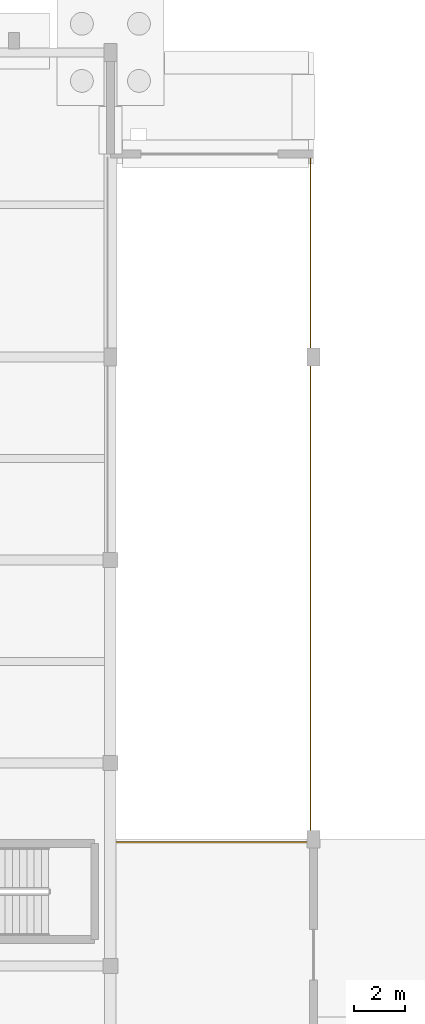
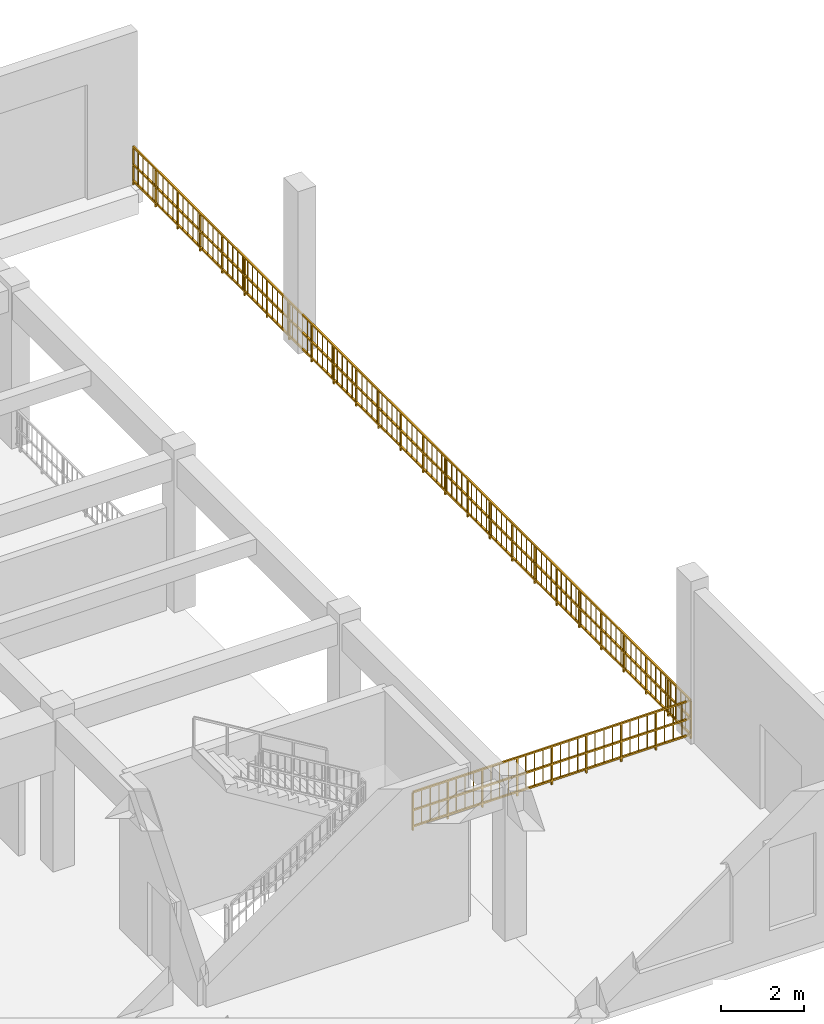
# One storey, part 65 of 68: 1 railing.
"""IFC4 building model written with IfcOpenShell, lengths in metres."""

from ifc_helpers import new_model, si_unit, direction, frame, origin, origin_2d, place, context, subcontext, project, spatial, rectangle, extrude, material, layer, layer_set, type_object, element, save


model = new_model("IFC4")

# Units and contexts
model_context = context("Model", 3, precision=1e-05, world=origin(), true_north=direction((0.0, 1.0)))
body_context = subcontext(model_context, "Body", "Model", "MODEL_VIEW")
ifc_project = project(units=[si_unit("LENGTHUNIT", "METRE"), si_unit("AREAUNIT", "SQUARE_METRE"), si_unit("VOLUMEUNIT", "CUBIC_METRE"), si_unit("PLANEANGLEUNIT", "RADIAN"), si_unit("MASSUNIT", "GRAM", prefix="KILO")], contexts=[model_context])

# Site, building, storey
site_placement = place(None, origin())
site = spatial("IfcSite", under=ifc_project, at=site_placement, CompositionType="ELEMENT")
building_placement = place(site_placement, origin())
building = spatial("IfcBuilding", under=site, at=building_placement, Name="Serraluz Foothill Cableway Terminal", CompositionType="ELEMENT")
storey_placement = place(building_placement, origin())
storey = spatial("IfcBuildingStorey", under=building, at=storey_placement, Name="L00", CompositionType="ELEMENT", Elevation=0.0)

# Railing
ifc_material = material(Name="Steel ASTM A572 Grade 50", Category="steel")
ifc_layer = layer(ifc_material, 0.054931640625, Name="Steel ASTM A572 Grade 50", Category="steel")
ifc_layer_set = layer_set([ifc_layer], Name="Steel ASTM A572 Grade 50")
railing_type = type_object("IfcRailingType", Name="TYP-RL-GRD-1150", PredefinedType="GUARDRAIL", material=ifc_layer_set)
railing_placement = place(storey_placement, frame((104.1201171875, 84.8798828125, 0.0)))
element("IfcRailing", 1, at=railing_placement, inside=storey, type_object=railing_type, Name="GUARDRAIL GRD-L00-RAMP", PredefinedType="GUARDRAIL", context=body_context, shape_type="SweptSolid", body=[
    extrude(rectangle(XDim=0.048095703125, YDim=0.048095703125, at=origin_2d()), frame((0.0, 0.0, 1.1259765625), z_axis=(1.0, 0.0, 0.0), x_axis=(0.0, 1.0, 0.0)), (0.0, 0.0, 1.0), 7.759765625),
    extrude(rectangle(XDim=0.048095703125, YDim=0.048095703125, at=origin_2d()), frame((0.0, 0.0, 0.597900390625), z_axis=(1.0, 0.0, 0.0), x_axis=(0.0, 1.0, 0.0)), (0.0, 0.0, 1.0), 7.759765625),
    extrude(rectangle(XDim=0.048095703125, YDim=0.048095703125, at=origin_2d()), frame((0.0, 0.0, 0.1201171875), z_axis=(1.0, 0.0, 0.0), x_axis=(0.0, 1.0, 0.0)), (0.0, 0.0, 1.0), 7.759765625),
    extrude(rectangle(XDim=0.02001953125, YDim=0.02001953125, at=origin_2d()), frame((0.242431640625, 0.0, 0.1201171875)), (0.0, 0.0, 1.0), 0.981689453125),
    extrude(rectangle(XDim=0.02001953125, YDim=0.02001953125, at=origin_2d()), frame((0.48486328125, 0.0, 0.1201171875)), (0.0, 0.0, 1.0), 0.981689453125),
    extrude(rectangle(XDim=0.02001953125, YDim=0.02001953125, at=origin_2d()), frame((0.7275390625, 0.0, 0.1201171875)), (0.0, 0.0, 1.0), 0.981689453125),
    extrude(rectangle(XDim=0.02001953125, YDim=0.02001953125, at=origin_2d()), frame((1.21240234375, 0.0, 0.1201171875)), (0.0, 0.0, 1.0), 0.981689453125),
    extrude(rectangle(XDim=0.02001953125, YDim=0.02001953125, at=origin_2d()), frame((1.455078125, 0.0, 0.1201171875)), (0.0, 0.0, 1.0), 0.981689453125),
    extrude(rectangle(XDim=0.02001953125, YDim=0.02001953125, at=origin_2d()), frame((1.697509765625, 0.0, 0.1201171875)), (0.0, 0.0, 1.0), 0.981689453125),
    extrude(rectangle(XDim=0.02001953125, YDim=0.02001953125, at=origin_2d()), frame((2.182373046875, 0.0, 0.1201171875)), (0.0, 0.0, 1.0), 0.981689453125),
    extrude(rectangle(XDim=0.02001953125, YDim=0.02001953125, at=origin_2d()), frame((2.4248046875, 0.0, 0.1201171875)), (0.0, 0.0, 1.0), 0.981689453125),
    extrude(rectangle(XDim=0.02001953125, YDim=0.02001953125, at=origin_2d()), frame((2.66748046875, 0.0, 0.1201171875)), (0.0, 0.0, 1.0), 0.981689453125),
    extrude(rectangle(XDim=0.02001953125, YDim=0.02001953125, at=origin_2d()), frame((3.15234375, 0.0, 0.1201171875)), (0.0, 0.0, 1.0), 0.981689453125),
    extrude(rectangle(XDim=0.02001953125, YDim=0.02001953125, at=origin_2d()), frame((3.39501953125, 0.0, 0.1201171875)), (0.0, 0.0, 1.0), 0.981689453125),
    extrude(rectangle(XDim=0.02001953125, YDim=0.02001953125, at=origin_2d()), frame((3.637451171875, 0.0, 0.1201171875)), (0.0, 0.0, 1.0), 0.981689453125),
    extrude(rectangle(XDim=0.02001953125, YDim=0.02001953125, at=origin_2d()), frame((4.122314453125, 0.0, 0.1201171875)), (0.0, 0.0, 1.0), 0.981689453125),
    extrude(rectangle(XDim=0.02001953125, YDim=0.02001953125, at=origin_2d()), frame((4.36474609375, 0.0, 0.1201171875)), (0.0, 0.0, 1.0), 0.981689453125),
    extrude(rectangle(XDim=0.02001953125, YDim=0.02001953125, at=origin_2d()), frame((4.607421875, 0.0, 0.1201171875)), (0.0, 0.0, 1.0), 0.981689453125),
    extrude(rectangle(XDim=0.02001953125, YDim=0.02001953125, at=origin_2d()), frame((5.09228515625, 0.0, 0.1201171875)), (0.0, 0.0, 1.0), 0.981689453125),
    extrude(rectangle(XDim=0.02001953125, YDim=0.02001953125, at=origin_2d()), frame((5.3349609375, 0.0, 0.1201171875)), (0.0, 0.0, 1.0), 0.981689453125),
    extrude(rectangle(XDim=0.02001953125, YDim=0.02001953125, at=origin_2d()), frame((5.577392578125, 0.0, 0.1201171875)), (0.0, 0.0, 1.0), 0.981689453125),
    extrude(rectangle(XDim=0.02001953125, YDim=0.02001953125, at=origin_2d()), frame((6.062255859375, 0.0, 0.1201171875)), (0.0, 0.0, 1.0), 0.981689453125),
    extrude(rectangle(XDim=0.02001953125, YDim=0.02001953125, at=origin_2d()), frame((6.3046875, 0.0, 0.1201171875)), (0.0, 0.0, 1.0), 0.981689453125),
    extrude(rectangle(XDim=0.02001953125, YDim=0.02001953125, at=origin_2d()), frame((6.54736328125, 0.0, 0.1201171875)), (0.0, 0.0, 1.0), 0.981689453125),
    extrude(rectangle(XDim=0.02001953125, YDim=0.02001953125, at=origin_2d()), frame((7.0322265625, 0.0, 0.1201171875)), (0.0, 0.0, 1.0), 0.981689453125),
    extrude(rectangle(XDim=0.02001953125, YDim=0.02001953125, at=origin_2d()), frame((7.27490234375, 0.0, 0.1201171875)), (0.0, 0.0, 1.0), 0.981689453125),
    extrude(rectangle(XDim=0.02001953125, YDim=0.02001953125, at=origin_2d()), frame((7.517333984375, 0.0, 0.1201171875)), (0.0, 0.0, 1.0), 0.981689453125),
    extrude(rectangle(XDim=0.048095703125, YDim=0.048095703125, at=origin_2d()), frame((7.759765625, 0.0, 1.1259765625), z_axis=(0.0, 1.0, 0.0), x_axis=(-1.0, 0.0, 0.0)), (0.0, 0.0, 1.0), 26.97021484375),
    extrude(rectangle(XDim=0.048095703125, YDim=0.048095703125, at=origin_2d()), frame((7.759765625, 0.0, 0.597900390625), z_axis=(0.0, 1.0, 0.0), x_axis=(-1.0, 0.0, 0.0)), (0.0, 0.0, 1.0), 26.97021484375),
    extrude(rectangle(XDim=0.048095703125, YDim=0.048095703125, at=origin_2d()), frame((7.759765625, 0.0, 0.1201171875), z_axis=(0.0, 1.0, 0.0), x_axis=(-1.0, 0.0, 0.0)), (0.0, 0.0, 1.0), 26.97021484375),
    extrude(rectangle(XDim=0.02001953125, YDim=0.02001953125, at=origin_2d()), frame((7.759765625, 0.24072265625, 0.1201171875)), (0.0, 0.0, 1.0), 0.981689453125),
    extrude(rectangle(XDim=0.02001953125, YDim=0.02001953125, at=origin_2d()), frame((7.759765625, 0.481689453125, 0.1201171875)), (0.0, 0.0, 1.0), 0.981689453125),
    extrude(rectangle(XDim=0.02001953125, YDim=0.02001953125, at=origin_2d()), frame((7.759765625, 0.722412109375, 0.1201171875)), (0.0, 0.0, 1.0), 0.981689453125),
    extrude(rectangle(XDim=0.02001953125, YDim=0.02001953125, at=origin_2d()), frame((7.759765625, 0.963134765625, 0.1201171875)), (0.0, 0.0, 1.0), 0.981689453125),
    extrude(rectangle(XDim=0.02001953125, YDim=0.02001953125, at=origin_2d()), frame((7.759765625, 1.2041015625, 0.1201171875)), (0.0, 0.0, 1.0), 0.981689453125),
    extrude(rectangle(XDim=0.02001953125, YDim=0.02001953125, at=origin_2d()), frame((7.759765625, 1.44482421875, 0.1201171875)), (0.0, 0.0, 1.0), 0.981689453125),
    extrude(rectangle(XDim=0.02001953125, YDim=0.02001953125, at=origin_2d()), frame((7.759765625, 1.685546875, 0.1201171875)), (0.0, 0.0, 1.0), 0.981689453125),
    extrude(rectangle(XDim=0.02001953125, YDim=0.02001953125, at=origin_2d()), frame((7.759765625, 1.926513671875, 0.1201171875)), (0.0, 0.0, 1.0), 0.981689453125),
    extrude(rectangle(XDim=0.02001953125, YDim=0.02001953125, at=origin_2d()), frame((7.759765625, 2.407958984375, 0.1201171875)), (0.0, 0.0, 1.0), 0.981689453125),
    extrude(rectangle(XDim=0.02001953125, YDim=0.02001953125, at=origin_2d()), frame((7.759765625, 2.64892578125, 0.1201171875)), (0.0, 0.0, 1.0), 0.981689453125),
    extrude(rectangle(XDim=0.02001953125, YDim=0.02001953125, at=origin_2d()), frame((7.759765625, 2.8896484375, 0.1201171875)), (0.0, 0.0, 1.0), 0.981689453125),
    extrude(rectangle(XDim=0.02001953125, YDim=0.02001953125, at=origin_2d()), frame((7.759765625, 3.13037109375, 0.1201171875)), (0.0, 0.0, 1.0), 0.981689453125),
    extrude(rectangle(XDim=0.02001953125, YDim=0.02001953125, at=origin_2d()), frame((7.759765625, 3.371337890625, 0.1201171875)), (0.0, 0.0, 1.0), 0.981689453125),
    extrude(rectangle(XDim=0.02001953125, YDim=0.02001953125, at=origin_2d()), frame((7.759765625, 3.612060546875, 0.1201171875)), (0.0, 0.0, 1.0), 0.981689453125),
    extrude(rectangle(XDim=0.02001953125, YDim=0.02001953125, at=origin_2d()), frame((7.759765625, 3.852783203125, 0.1201171875)), (0.0, 0.0, 1.0), 0.981689453125),
    extrude(rectangle(XDim=0.02001953125, YDim=0.02001953125, at=origin_2d()), frame((7.759765625, 4.09375, 0.1201171875)), (0.0, 0.0, 1.0), 0.981689453125),
    extrude(rectangle(XDim=0.02001953125, YDim=0.02001953125, at=origin_2d()), frame((7.759765625, 4.5751953125, 0.1201171875)), (0.0, 0.0, 1.0), 0.981689453125),
    extrude(rectangle(XDim=0.02001953125, YDim=0.02001953125, at=origin_2d()), frame((7.759765625, 4.816162109375, 0.1201171875)), (0.0, 0.0, 1.0), 0.981689453125),
    extrude(rectangle(XDim=0.02001953125, YDim=0.02001953125, at=origin_2d()), frame((7.759765625, 5.056884765625, 0.1201171875)), (0.0, 0.0, 1.0), 0.981689453125),
    extrude(rectangle(XDim=0.02001953125, YDim=0.02001953125, at=origin_2d()), frame((7.759765625, 5.297607421875, 0.1201171875)), (0.0, 0.0, 1.0), 0.981689453125),
    extrude(rectangle(XDim=0.02001953125, YDim=0.02001953125, at=origin_2d()), frame((7.759765625, 5.53857421875, 0.1201171875)), (0.0, 0.0, 1.0), 0.981689453125),
    extrude(rectangle(XDim=0.02001953125, YDim=0.02001953125, at=origin_2d()), frame((7.759765625, 5.779296875, 0.1201171875)), (0.0, 0.0, 1.0), 0.981689453125),
    extrude(rectangle(XDim=0.02001953125, YDim=0.02001953125, at=origin_2d()), frame((7.759765625, 6.02001953125, 0.1201171875)), (0.0, 0.0, 1.0), 0.981689453125),
    extrude(rectangle(XDim=0.02001953125, YDim=0.02001953125, at=origin_2d()), frame((7.759765625, 6.260986328125, 0.1201171875)), (0.0, 0.0, 1.0), 0.981689453125),
    extrude(rectangle(XDim=0.02001953125, YDim=0.02001953125, at=origin_2d()), frame((7.759765625, 6.74267578125, 0.1201171875)), (0.0, 0.0, 1.0), 0.981689453125),
    extrude(rectangle(XDim=0.02001953125, YDim=0.02001953125, at=origin_2d()), frame((7.759765625, 6.9833984375, 0.1201171875)), (0.0, 0.0, 1.0), 0.981689453125),
    extrude(rectangle(XDim=0.02001953125, YDim=0.02001953125, at=origin_2d()), frame((7.759765625, 7.22412109375, 0.1201171875)), (0.0, 0.0, 1.0), 0.981689453125),
    extrude(rectangle(XDim=0.02001953125, YDim=0.02001953125, at=origin_2d()), frame((7.759765625, 7.465087890625, 0.1201171875)), (0.0, 0.0, 1.0), 0.981689453125),
    extrude(rectangle(XDim=0.02001953125, YDim=0.02001953125, at=origin_2d()), frame((7.759765625, 7.705810546875, 0.1201171875)), (0.0, 0.0, 1.0), 0.981689453125),
    extrude(rectangle(XDim=0.02001953125, YDim=0.02001953125, at=origin_2d()), frame((7.759765625, 7.946533203125, 0.1201171875)), (0.0, 0.0, 1.0), 0.981689453125),
    extrude(rectangle(XDim=0.02001953125, YDim=0.02001953125, at=origin_2d()), frame((7.759765625, 8.1875, 0.1201171875)), (0.0, 0.0, 1.0), 0.981689453125),
    extrude(rectangle(XDim=0.02001953125, YDim=0.02001953125, at=origin_2d()), frame((7.759765625, 8.42822265625, 0.1201171875)), (0.0, 0.0, 1.0), 0.981689453125),
    extrude(rectangle(XDim=0.02001953125, YDim=0.02001953125, at=origin_2d()), frame((7.759765625, 8.909912109375, 0.1201171875)), (0.0, 0.0, 1.0), 0.981689453125),
    extrude(rectangle(XDim=0.02001953125, YDim=0.02001953125, at=origin_2d()), frame((7.759765625, 9.150634765625, 0.1201171875)), (0.0, 0.0, 1.0), 0.981689453125),
    extrude(rectangle(XDim=0.02001953125, YDim=0.02001953125, at=origin_2d()), frame((7.759765625, 9.391357421875, 0.1201171875)), (0.0, 0.0, 1.0), 0.981689453125),
    extrude(rectangle(XDim=0.02001953125, YDim=0.02001953125, at=origin_2d()), frame((7.759765625, 9.63232421875, 0.1201171875)), (0.0, 0.0, 1.0), 0.981689453125),
    extrude(rectangle(XDim=0.02001953125, YDim=0.02001953125, at=origin_2d()), frame((7.759765625, 9.873046875, 0.1201171875)), (0.0, 0.0, 1.0), 0.981689453125),
    extrude(rectangle(XDim=0.02001953125, YDim=0.02001953125, at=origin_2d()), frame((7.759765625, 10.11376953125, 0.1201171875)), (0.0, 0.0, 1.0), 0.981689453125),
    extrude(rectangle(XDim=0.02001953125, YDim=0.02001953125, at=origin_2d()), frame((7.759765625, 10.354736328125, 0.1201171875)), (0.0, 0.0, 1.0), 0.981689453125),
    extrude(rectangle(XDim=0.02001953125, YDim=0.02001953125, at=origin_2d()), frame((7.759765625, 10.595458984375, 0.1201171875)), (0.0, 0.0, 1.0), 0.981689453125),
    extrude(rectangle(XDim=0.02001953125, YDim=0.02001953125, at=origin_2d()), frame((7.759765625, 11.0771484375, 0.1201171875)), (0.0, 0.0, 1.0), 0.981689453125),
    extrude(rectangle(XDim=0.02001953125, YDim=0.02001953125, at=origin_2d()), frame((7.759765625, 11.31787109375, 0.1201171875)), (0.0, 0.0, 1.0), 0.981689453125),
    extrude(rectangle(XDim=0.02001953125, YDim=0.02001953125, at=origin_2d()), frame((7.759765625, 11.55859375, 0.1201171875)), (0.0, 0.0, 1.0), 0.981689453125),
    extrude(rectangle(XDim=0.02001953125, YDim=0.02001953125, at=origin_2d()), frame((7.759765625, 11.799560546875, 0.1201171875)), (0.0, 0.0, 1.0), 0.981689453125),
    extrude(rectangle(XDim=0.02001953125, YDim=0.02001953125, at=origin_2d()), frame((7.759765625, 12.040283203125, 0.1201171875)), (0.0, 0.0, 1.0), 0.981689453125),
    extrude(rectangle(XDim=0.02001953125, YDim=0.02001953125, at=origin_2d()), frame((7.759765625, 12.281005859375, 0.1201171875)), (0.0, 0.0, 1.0), 0.981689453125),
    extrude(rectangle(XDim=0.02001953125, YDim=0.02001953125, at=origin_2d()), frame((7.759765625, 12.52197265625, 0.1201171875)), (0.0, 0.0, 1.0), 0.981689453125),
    extrude(rectangle(XDim=0.02001953125, YDim=0.02001953125, at=origin_2d()), frame((7.759765625, 12.7626953125, 0.1201171875)), (0.0, 0.0, 1.0), 0.981689453125),
    extrude(rectangle(XDim=0.02001953125, YDim=0.02001953125, at=origin_2d()), frame((7.759765625, 13.244384765625, 0.1201171875)), (0.0, 0.0, 1.0), 0.981689453125),
    extrude(rectangle(XDim=0.02001953125, YDim=0.02001953125, at=origin_2d()), frame((7.759765625, 13.485107421875, 0.1201171875)), (0.0, 0.0, 1.0), 0.981689453125),
    extrude(rectangle(XDim=0.02001953125, YDim=0.02001953125, at=origin_2d()), frame((7.759765625, 13.725830078125, 0.1201171875)), (0.0, 0.0, 1.0), 0.981689453125),
    extrude(rectangle(XDim=0.02001953125, YDim=0.02001953125, at=origin_2d()), frame((7.759765625, 14.20751953125, 0.1201171875)), (0.0, 0.0, 1.0), 0.981689453125),
    extrude(rectangle(XDim=0.02001953125, YDim=0.02001953125, at=origin_2d()), frame((7.759765625, 14.4482421875, 0.1201171875)), (0.0, 0.0, 1.0), 0.981689453125),
    extrude(rectangle(XDim=0.02001953125, YDim=0.02001953125, at=origin_2d()), frame((7.759765625, 14.689208984375, 0.1201171875)), (0.0, 0.0, 1.0), 0.981689453125),
    extrude(rectangle(XDim=0.02001953125, YDim=0.02001953125, at=origin_2d()), frame((7.759765625, 14.929931640625, 0.1201171875)), (0.0, 0.0, 1.0), 0.981689453125),
    extrude(rectangle(XDim=0.02001953125, YDim=0.02001953125, at=origin_2d()), frame((7.759765625, 15.170654296875, 0.1201171875)), (0.0, 0.0, 1.0), 0.981689453125),
    extrude(rectangle(XDim=0.02001953125, YDim=0.02001953125, at=origin_2d()), frame((7.759765625, 15.41162109375, 0.1201171875)), (0.0, 0.0, 1.0), 0.981689453125),
    extrude(rectangle(XDim=0.02001953125, YDim=0.02001953125, at=origin_2d()), frame((7.759765625, 15.65234375, 0.1201171875)), (0.0, 0.0, 1.0), 0.981689453125),
    extrude(rectangle(XDim=0.02001953125, YDim=0.02001953125, at=origin_2d()), frame((7.759765625, 15.89306640625, 0.1201171875)), (0.0, 0.0, 1.0), 0.981689453125),
    extrude(rectangle(XDim=0.02001953125, YDim=0.02001953125, at=origin_2d()), frame((7.759765625, 16.374755859375, 0.1201171875)), (0.0, 0.0, 1.0), 0.981689453125),
    extrude(rectangle(XDim=0.02001953125, YDim=0.02001953125, at=origin_2d()), frame((7.759765625, 16.615478515625, 0.1201171875)), (0.0, 0.0, 1.0), 0.981689453125),
    extrude(rectangle(XDim=0.02001953125, YDim=0.02001953125, at=origin_2d()), frame((7.759765625, 16.8564453125, 0.1201171875)), (0.0, 0.0, 1.0), 0.981689453125),
    extrude(rectangle(XDim=0.02001953125, YDim=0.02001953125, at=origin_2d()), frame((7.759765625, 17.09716796875, 0.1201171875)), (0.0, 0.0, 1.0), 0.981689453125),
    extrude(rectangle(XDim=0.02001953125, YDim=0.02001953125, at=origin_2d()), frame((7.759765625, 17.337890625, 0.1201171875)), (0.0, 0.0, 1.0), 0.981689453125),
    extrude(rectangle(XDim=0.02001953125, YDim=0.02001953125, at=origin_2d()), frame((7.759765625, 17.578857421875, 0.1201171875)), (0.0, 0.0, 1.0), 0.981689453125),
    extrude(rectangle(XDim=0.02001953125, YDim=0.02001953125, at=origin_2d()), frame((7.759765625, 17.819580078125, 0.1201171875)), (0.0, 0.0, 1.0), 0.981689453125),
    extrude(rectangle(XDim=0.02001953125, YDim=0.02001953125, at=origin_2d()), frame((7.759765625, 18.060302734375, 0.1201171875)), (0.0, 0.0, 1.0), 0.981689453125),
    extrude(rectangle(XDim=0.02001953125, YDim=0.02001953125, at=origin_2d()), frame((7.759765625, 18.5419921875, 0.1201171875)), (0.0, 0.0, 1.0), 0.981689453125),
    extrude(rectangle(XDim=0.02001953125, YDim=0.02001953125, at=origin_2d()), frame((7.759765625, 18.78271484375, 0.1201171875)), (0.0, 0.0, 1.0), 0.981689453125),
    extrude(rectangle(XDim=0.02001953125, YDim=0.02001953125, at=origin_2d()), frame((7.759765625, 19.023681640625, 0.1201171875)), (0.0, 0.0, 1.0), 0.981689453125),
    extrude(rectangle(XDim=0.02001953125, YDim=0.02001953125, at=origin_2d()), frame((7.759765625, 19.264404296875, 0.1201171875)), (0.0, 0.0, 1.0), 0.981689453125),
    extrude(rectangle(XDim=0.02001953125, YDim=0.02001953125, at=origin_2d()), frame((7.759765625, 19.505126953125, 0.1201171875)), (0.0, 0.0, 1.0), 0.981689453125),
    extrude(rectangle(XDim=0.02001953125, YDim=0.02001953125, at=origin_2d()), frame((7.759765625, 19.74609375, 0.1201171875)), (0.0, 0.0, 1.0), 0.981689453125),
    extrude(rectangle(XDim=0.02001953125, YDim=0.02001953125, at=origin_2d()), frame((7.759765625, 19.98681640625, 0.1201171875)), (0.0, 0.0, 1.0), 0.981689453125),
    extrude(rectangle(XDim=0.02001953125, YDim=0.02001953125, at=origin_2d()), frame((7.759765625, 20.2275390625, 0.1201171875)), (0.0, 0.0, 1.0), 0.981689453125),
    extrude(rectangle(XDim=0.02001953125, YDim=0.02001953125, at=origin_2d()), frame((7.759765625, 20.709228515625, 0.1201171875)), (0.0, 0.0, 1.0), 0.981689453125),
    extrude(rectangle(XDim=0.02001953125, YDim=0.02001953125, at=origin_2d()), frame((7.759765625, 20.9501953125, 0.1201171875)), (0.0, 0.0, 1.0), 0.981689453125),
    extrude(rectangle(XDim=0.02001953125, YDim=0.02001953125, at=origin_2d()), frame((7.759765625, 21.19091796875, 0.1201171875)), (0.0, 0.0, 1.0), 0.981689453125),
    extrude(rectangle(XDim=0.02001953125, YDim=0.02001953125, at=origin_2d()), frame((7.759765625, 21.431640625, 0.1201171875)), (0.0, 0.0, 1.0), 0.981689453125),
    extrude(rectangle(XDim=0.02001953125, YDim=0.02001953125, at=origin_2d()), frame((7.759765625, 21.672607421875, 0.1201171875)), (0.0, 0.0, 1.0), 0.981689453125),
    extrude(rectangle(XDim=0.02001953125, YDim=0.02001953125, at=origin_2d()), frame((7.759765625, 21.913330078125, 0.1201171875)), (0.0, 0.0, 1.0), 0.981689453125),
    extrude(rectangle(XDim=0.02001953125, YDim=0.02001953125, at=origin_2d()), frame((7.759765625, 22.154052734375, 0.1201171875)), (0.0, 0.0, 1.0), 0.981689453125),
    extrude(rectangle(XDim=0.02001953125, YDim=0.02001953125, at=origin_2d()), frame((7.759765625, 22.39501953125, 0.1201171875)), (0.0, 0.0, 1.0), 0.981689453125),
    extrude(rectangle(XDim=0.02001953125, YDim=0.02001953125, at=origin_2d()), frame((7.759765625, 22.87646484375, 0.1201171875)), (0.0, 0.0, 1.0), 0.981689453125),
    extrude(rectangle(XDim=0.02001953125, YDim=0.02001953125, at=origin_2d()), frame((7.759765625, 23.117431640625, 0.1201171875)), (0.0, 0.0, 1.0), 0.981689453125),
    extrude(rectangle(XDim=0.02001953125, YDim=0.02001953125, at=origin_2d()), frame((7.759765625, 23.358154296875, 0.1201171875)), (0.0, 0.0, 1.0), 0.981689453125),
    extrude(rectangle(XDim=0.02001953125, YDim=0.02001953125, at=origin_2d()), frame((7.759765625, 23.598876953125, 0.1201171875)), (0.0, 0.0, 1.0), 0.981689453125),
    extrude(rectangle(XDim=0.02001953125, YDim=0.02001953125, at=origin_2d()), frame((7.759765625, 23.83984375, 0.1201171875)), (0.0, 0.0, 1.0), 0.981689453125),
    extrude(rectangle(XDim=0.02001953125, YDim=0.02001953125, at=origin_2d()), frame((7.759765625, 24.08056640625, 0.1201171875)), (0.0, 0.0, 1.0), 0.981689453125),
    extrude(rectangle(XDim=0.02001953125, YDim=0.02001953125, at=origin_2d()), frame((7.759765625, 24.3212890625, 0.1201171875)), (0.0, 0.0, 1.0), 0.981689453125),
    extrude(rectangle(XDim=0.02001953125, YDim=0.02001953125, at=origin_2d()), frame((7.759765625, 24.562255859375, 0.1201171875)), (0.0, 0.0, 1.0), 0.981689453125),
    extrude(rectangle(XDim=0.02001953125, YDim=0.02001953125, at=origin_2d()), frame((7.759765625, 25.043701171875, 0.1201171875)), (0.0, 0.0, 1.0), 0.981689453125),
    extrude(rectangle(XDim=0.02001953125, YDim=0.02001953125, at=origin_2d()), frame((7.759765625, 25.28466796875, 0.1201171875)), (0.0, 0.0, 1.0), 0.981689453125),
    extrude(rectangle(XDim=0.02001953125, YDim=0.02001953125, at=origin_2d()), frame((7.759765625, 25.525390625, 0.1201171875)), (0.0, 0.0, 1.0), 0.981689453125),
    extrude(rectangle(XDim=0.02001953125, YDim=0.02001953125, at=origin_2d()), frame((7.759765625, 25.76611328125, 0.1201171875)), (0.0, 0.0, 1.0), 0.981689453125),
    extrude(rectangle(XDim=0.02001953125, YDim=0.02001953125, at=origin_2d()), frame((7.759765625, 26.007080078125, 0.1201171875)), (0.0, 0.0, 1.0), 0.981689453125),
    extrude(rectangle(XDim=0.02001953125, YDim=0.02001953125, at=origin_2d()), frame((7.759765625, 26.247802734375, 0.1201171875)), (0.0, 0.0, 1.0), 0.981689453125),
    extrude(rectangle(XDim=0.02001953125, YDim=0.02001953125, at=origin_2d()), frame((7.759765625, 26.488525390625, 0.1201171875)), (0.0, 0.0, 1.0), 0.981689453125),
    extrude(rectangle(XDim=0.02001953125, YDim=0.02001953125, at=origin_2d()), frame((7.759765625, 26.7294921875, 0.1201171875)), (0.0, 0.0, 1.0), 0.981689453125),
    extrude(rectangle(XDim=0.0439453125, YDim=0.0439453125, at=origin_2d()), origin(), (0.0, 0.0, 1.0), 1.101806640625),
    extrude(rectangle(XDim=0.0439453125, YDim=0.0439453125, at=origin_2d()), frame((0.969970703125, 0.0, 0.0)), (0.0, 0.0, 1.0), 1.101806640625),
    extrude(rectangle(XDim=0.0439453125, YDim=0.0439453125, at=origin_2d()), frame((1.93994140625, 0.0, 0.0)), (0.0, 0.0, 1.0), 1.101806640625),
    extrude(rectangle(XDim=0.0439453125, YDim=0.0439453125, at=origin_2d()), frame((2.909912109375, 0.0, 0.0)), (0.0, 0.0, 1.0), 1.101806640625),
    extrude(rectangle(XDim=0.0439453125, YDim=0.0439453125, at=origin_2d()), frame((3.8798828125, 0.0, 0.0)), (0.0, 0.0, 1.0), 1.101806640625),
    extrude(rectangle(XDim=0.0439453125, YDim=0.0439453125, at=origin_2d()), frame((4.849853515625, 0.0, 0.0)), (0.0, 0.0, 1.0), 1.101806640625),
    extrude(rectangle(XDim=0.0439453125, YDim=0.0439453125, at=origin_2d()), frame((5.81982421875, 0.0, 0.0)), (0.0, 0.0, 1.0), 1.101806640625),
    extrude(rectangle(XDim=0.0439453125, YDim=0.0439453125, at=origin_2d()), frame((6.789794921875, 0.0, 0.0)), (0.0, 0.0, 1.0), 1.101806640625),
    extrude(rectangle(XDim=0.0439453125, YDim=0.0439453125, at=origin_2d()), frame((7.759765625, 0.0, 0.0)), (0.0, 0.0, 1.0), 1.101806640625),
    extrude(rectangle(XDim=0.0439453125, YDim=0.0439453125, at=origin_2d()), frame((7.759765625, 1.078857421875, 0.0)), (0.0, 0.0, 1.0), 1.101806640625),
    extrude(rectangle(XDim=0.0439453125, YDim=0.0439453125, at=origin_2d()), frame((7.759765625, 2.15771484375, 0.0)), (0.0, 0.0, 1.0), 1.101806640625),
    extrude(rectangle(XDim=0.0439453125, YDim=0.0439453125, at=origin_2d()), frame((7.759765625, 3.236328125, 0.0)), (0.0, 0.0, 1.0), 1.101806640625),
    extrude(rectangle(XDim=0.0439453125, YDim=0.0439453125, at=origin_2d()), frame((7.759765625, 4.315185546875, 0.0)), (0.0, 0.0, 1.0), 1.101806640625),
    extrude(rectangle(XDim=0.0439453125, YDim=0.0439453125, at=origin_2d()), frame((7.759765625, 5.39404296875, 0.0)), (0.0, 0.0, 1.0), 1.101806640625),
    extrude(rectangle(XDim=0.0439453125, YDim=0.0439453125, at=origin_2d()), frame((7.759765625, 6.472900390625, 0.0)), (0.0, 0.0, 1.0), 1.101806640625),
    extrude(rectangle(XDim=0.0439453125, YDim=0.0439453125, at=origin_2d()), frame((7.759765625, 7.5517578125, 0.0)), (0.0, 0.0, 1.0), 1.101806640625),
    extrude(rectangle(XDim=0.0439453125, YDim=0.0439453125, at=origin_2d()), frame((7.759765625, 8.63037109375, 0.0)), (0.0, 0.0, 1.0), 1.101806640625),
    extrude(rectangle(XDim=0.0439453125, YDim=0.0439453125, at=origin_2d()), frame((7.759765625, 9.709228515625, 0.0)), (0.0, 0.0, 1.0), 1.101806640625),
    extrude(rectangle(XDim=0.0439453125, YDim=0.0439453125, at=origin_2d()), frame((7.759765625, 10.7880859375, 0.0)), (0.0, 0.0, 1.0), 1.101806640625),
    extrude(rectangle(XDim=0.0439453125, YDim=0.0439453125, at=origin_2d()), frame((7.759765625, 11.866943359375, 0.0)), (0.0, 0.0, 1.0), 1.101806640625),
    extrude(rectangle(XDim=0.0439453125, YDim=0.0439453125, at=origin_2d()), frame((7.759765625, 12.94580078125, 0.0)), (0.0, 0.0, 1.0), 1.101806640625),
    extrude(rectangle(XDim=0.0439453125, YDim=0.0439453125, at=origin_2d()), frame((7.759765625, 14.0244140625, 0.0)), (0.0, 0.0, 1.0), 1.101806640625),
    extrude(rectangle(XDim=0.0439453125, YDim=0.0439453125, at=origin_2d()), frame((7.759765625, 15.103271484375, 0.0)), (0.0, 0.0, 1.0), 1.101806640625),
    extrude(rectangle(XDim=0.0439453125, YDim=0.0439453125, at=origin_2d()), frame((7.759765625, 16.18212890625, 0.0)), (0.0, 0.0, 1.0), 1.101806640625),
    extrude(rectangle(XDim=0.0439453125, YDim=0.0439453125, at=origin_2d()), frame((7.759765625, 17.260986328125, 0.0)), (0.0, 0.0, 1.0), 1.101806640625),
    extrude(rectangle(XDim=0.0439453125, YDim=0.0439453125, at=origin_2d()), frame((7.759765625, 18.33984375, 0.0)), (0.0, 0.0, 1.0), 1.101806640625),
    extrude(rectangle(XDim=0.0439453125, YDim=0.0439453125, at=origin_2d()), frame((7.759765625, 19.41845703125, 0.0)), (0.0, 0.0, 1.0), 1.101806640625),
    extrude(rectangle(XDim=0.0439453125, YDim=0.0439453125, at=origin_2d()), frame((7.759765625, 20.497314453125, 0.0)), (0.0, 0.0, 1.0), 1.101806640625),
    extrude(rectangle(XDim=0.0439453125, YDim=0.0439453125, at=origin_2d()), frame((7.759765625, 21.576171875, 0.0)), (0.0, 0.0, 1.0), 1.101806640625),
    extrude(rectangle(XDim=0.0439453125, YDim=0.0439453125, at=origin_2d()), frame((7.759765625, 22.655029296875, 0.0)), (0.0, 0.0, 1.0), 1.101806640625),
    extrude(rectangle(XDim=0.0439453125, YDim=0.0439453125, at=origin_2d()), frame((7.759765625, 23.73388671875, 0.0)), (0.0, 0.0, 1.0), 1.101806640625),
    extrude(rectangle(XDim=0.0439453125, YDim=0.0439453125, at=origin_2d()), frame((7.759765625, 24.8125, 0.0)), (0.0, 0.0, 1.0), 1.101806640625),
    extrude(rectangle(XDim=0.0439453125, YDim=0.0439453125, at=origin_2d()), frame((7.759765625, 25.891357421875, 0.0)), (0.0, 0.0, 1.0), 1.101806640625),
    extrude(rectangle(XDim=0.0439453125, YDim=0.0439453125, at=origin_2d()), frame((7.759765625, 26.97021484375, 0.0)), (0.0, 0.0, 1.0), 1.101806640625),
])

save(model, "model.ifc")
